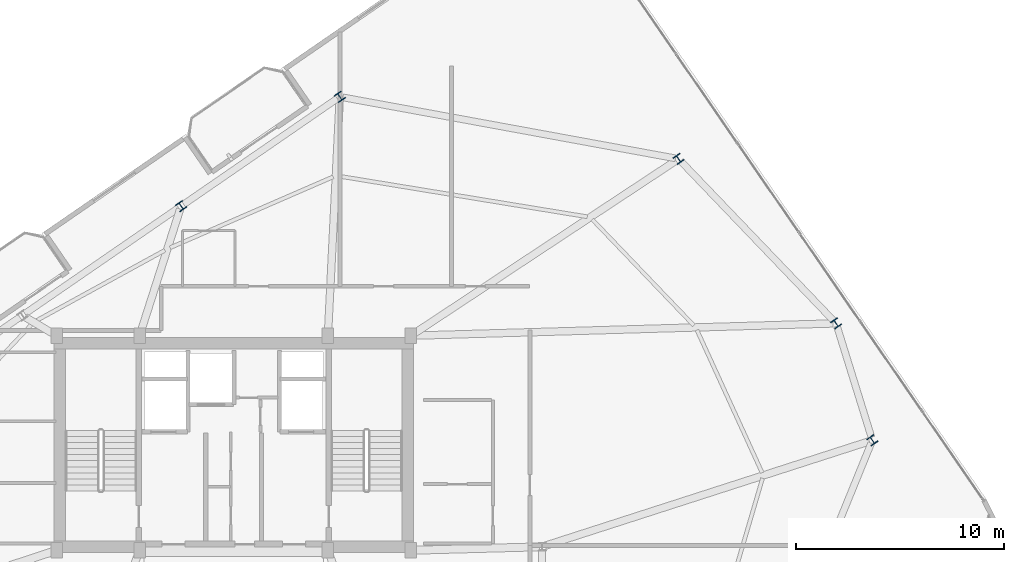
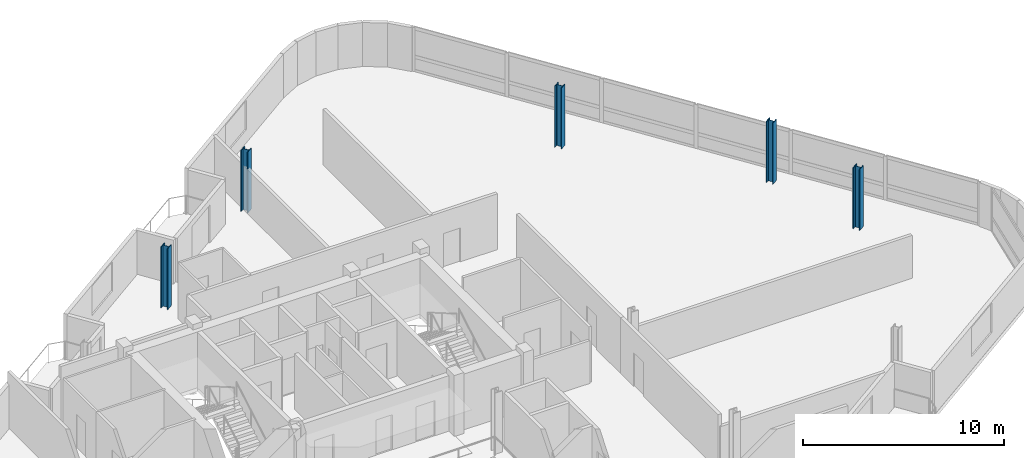
# One storey, part 2 of 23: 5 columns.
"""IFC4 building model written with IfcOpenShell, lengths in metres."""

from ifc_helpers import new_model, si_unit, direction, frame, origin, origin_2d, place, context, subcontext, project, spatial, i_section, extrude, material, material_profile, profile_set, type_object, element, save


model = new_model("IFC4")

# Units and contexts
model_context = context("Model", 3, precision=1e-05, world=origin(), true_north=direction((0.0, 1.0)))
body_context = subcontext(model_context, "Body", "Model", "MODEL_VIEW")
ifc_project = project(units=[si_unit("LENGTHUNIT", "METRE"), si_unit("AREAUNIT", "SQUARE_METRE"), si_unit("VOLUMEUNIT", "CUBIC_METRE"), si_unit("PLANEANGLEUNIT", "RADIAN"), si_unit("MASSUNIT", "GRAM", prefix="KILO")], contexts=[model_context])

# Site, building, storey
site_placement = place(None, origin())
site = spatial("IfcSite", under=ifc_project, at=site_placement, CompositionType="ELEMENT")
building_placement = place(site_placement, origin())
building = spatial("IfcBuilding", under=site, at=building_placement, Name="Varnelok Gate Tower", CompositionType="ELEMENT")
storey_placement = place(building_placement, frame((0.0, 0.0, 287.800048828125)))
storey = spatial("IfcBuildingStorey", under=building, at=storey_placement, Name="L74", CompositionType="ELEMENT", Elevation=287.800048828125)

# Columns
ifc_material = material(Name="Structural Steel ASTM A992 Grade 50", Category="steel")
ifc_material_profile = material_profile(ifc_material, i_section(OverallWidth=0.40087890625, OverallDepth=0.39892578125, WebThickness=0.02490234375, FlangeThickness=0.03955078125, FilletRadius=0.02197265625, at=origin_2d()), Name="W14X211")
ifc_profile_set = profile_set([ifc_material_profile], Name="Structural Steel ASTM A992 Grade 50")
column_type = type_object("IfcColumnType", Name="COL-W14X211", PredefinedType="COLUMN", material=ifc_profile_set)
for number, where, z_axis, x_axis, name in (
    (1, (69.856689453125, 34.031494140625, 0.0), (0.0, 0.0, 1.0), (0.823532597628, 0.567268949127, 0.0), "L74 B6 Perimeter Column PC06"),
    (2, (68.115478515625, 39.644287109375, 0.0), (0.0, 0.0, 1.0), (0.823532597628, 0.567268949127, 0.0), "L74 B6 Perimeter Column PC07"),
    (3, (60.5537109375, 47.537353515625, 0.0), (0.0, 0.0, 1.0), (0.823532597628, 0.567268949127, 0.0), "L74 B6 Perimeter Column PC08"),
    (4, (44.29248046875, 50.519287109375, 0.0), (0.0, 0.0, 1.0), (0.823532597628, 0.567268949127, 0.0), "L74 B6 Perimeter Column PC09"),
    (5, (36.6748046875, 45.27197265625, 0.0), (0.0, 0.0, 1.0), (0.823532597628, 0.567268949127, 0.0), "L74 B6 Perimeter Column PC10"),
):
    element("IfcColumn", number, at=place(storey_placement, frame(where, z_axis=z_axis, x_axis=x_axis)), inside=storey, type_object=column_type, Name=name, PredefinedType="COLUMN", context=body_context, shape_type="SweptSolid", body=[
        extrude(i_section(OverallWidth=0.40087890625, OverallDepth=0.39892578125, WebThickness=0.02490234375, FlangeThickness=0.03955078125, FilletRadius=0.02197265625, at=origin_2d()), origin(), (0.0, 0.0, 1.0), 3.699951171875),
    ])

save(model, "model.ifc")
